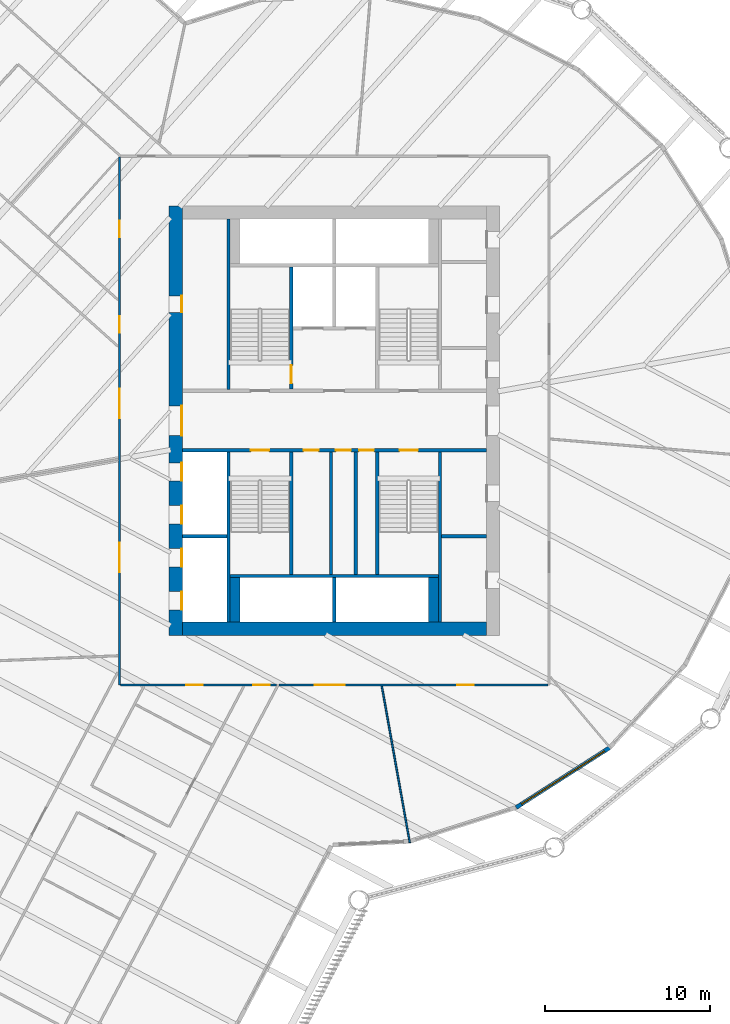
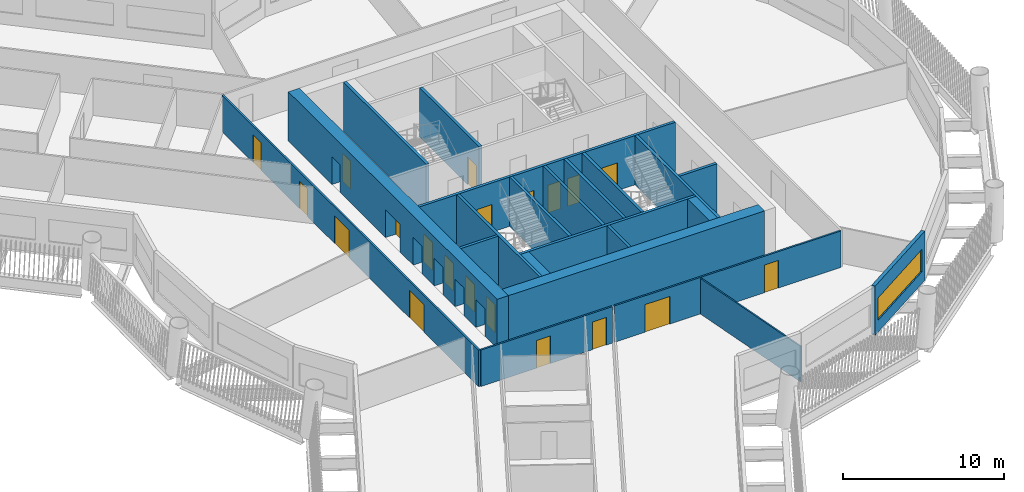
# One storey, part 4 of 16: 22 walls, 20 doors, 1 window, 21 openings.
"""IFC4 building model written with IfcOpenShell, lengths in metres."""

from ifc_helpers import new_model, si_unit, direction, frame, frame_2d, origin, place, context, subcontext, project, spatial, rectangle, extrude, material, layer, layer_set, type_object, element, fill, save


model = new_model("IFC4")

# Units and contexts
model_context = context("Model", 3, precision=1e-05, world=origin(), true_north=direction((0.0, 1.0)))
body_context = subcontext(model_context, "Body", "Model", "MODEL_VIEW")
ifc_project = project(units=[si_unit("LENGTHUNIT", "METRE"), si_unit("AREAUNIT", "SQUARE_METRE"), si_unit("VOLUMEUNIT", "CUBIC_METRE"), si_unit("PLANEANGLEUNIT", "RADIAN"), si_unit("MASSUNIT", "GRAM", prefix="KILO")], contexts=[model_context])

# Site, building, storey
site_placement = place(None, origin())
site = spatial("IfcSite", under=ifc_project, at=site_placement, CompositionType="ELEMENT")
building_placement = place(site_placement, origin())
building = spatial("IfcBuilding", under=site, at=building_placement, Name="Tarsis Ring Headquarters", CompositionType="ELEMENT")
storey_placement = place(building_placement, frame((0.0, 0.0, 96.699951171875)))
storey = spatial("IfcBuildingStorey", under=building, at=storey_placement, Name="L21", CompositionType="ELEMENT", Elevation=96.699951171875)

# Walls
ifc_material_1 = material(Name="Blockwork", Category="masonry")
ifc_layer_1 = layer(ifc_material_1, 0.199951171875)
ifc_layer_set_1 = layer_set([ifc_layer_1], Name="Core blockwork wall 200")
wall_type_1 = type_object("IfcWallType", Name="Core blockwork wall 200", PredefinedType="PARTITIONING", material=ifc_layer_set_1)
wall_1_placement = place(storey_placement, frame((6.5, -7.0, 0.0), z_axis=(0.0, 0.0, 1.0), x_axis=(1.0, 0.0, 0.0)))
element("IfcWall", 1, at=wall_1_placement, inside=storey, type_object=wall_type_1, Name="Core partition ED2", PredefinedType="PARTITIONING", context=body_context, shape_type="SweptSolid", body=[
    extrude(rectangle(XDim=2.699951171875, YDim=0.199951171875, at=frame_2d((1.35009765625, 0.0))), origin(), (0.0, 0.0, 1.0), 3.739990234375),
])
for number, where, z_axis, x_axis, name in (
    (2, (-0.199951171875, -9.300048828125, 0.0), (0.0, 0.0, 1.0), (0.0, 1.0, 0.0), "Core partition SV1"),
    (3, (1.300048828125, -9.300048828125, 0.0), (0.0, 0.0, 1.0), (0.0, 1.0, 0.0), "Core partition SV2"),
):
    element("IfcWall", number, at=place(storey_placement, frame(where, z_axis=z_axis, x_axis=x_axis)), inside=storey, type_object=wall_type_1, Name=name, PredefinedType="PARTITIONING", context=body_context, shape_type="SweptSolid", body=[
        extrude(rectangle(XDim=7.400146484375, YDim=0.199951171875, at=frame_2d((3.7001953125, 0.0))), origin(), (0.0, 0.0, 1.0), 3.739990234375),
    ])

# Wall, openings, doors
ifc_material_2 = material(Name="Concrete C60/75", Category="concrete")
ifc_layer_2 = layer(ifc_material_2, 0.800048828125)
ifc_layer_set_2 = layer_set([ifc_layer_2], Name="Core wall 800 C60/75")
wall_type_2 = type_object("IfcWallType", Name="Core wall 800 C60/75", PredefinedType="SHEAR", material=ifc_layer_set_2)
wall_2_placement = place(storey_placement, frame((-9.60009765625, -13.0, 0.0), z_axis=(0.0, 0.0, 1.0), x_axis=(0.0, 1.0, 0.0)))
wall_2 = element("IfcWall", 4, at=wall_2_placement, inside=storey, type_object=wall_type_2, Name="Core wall OW", PredefinedType="SHEAR", context=body_context, shape_type="SweptSolid", body=[
    extrude(rectangle(XDim=26.0, YDim=0.800048828125, at=frame_2d((13.0, 0.0))), origin(), (0.0, 0.0, 1.0), 3.739990234375),
])
opening_1_placement = place(wall_2_placement, frame((1.550048828125, 0.0, 0.0)))
opening_1 = element("IfcOpeningElement", 5, at=opening_1_placement, cuts=wall_2, Name="Opening LD-LR1", PredefinedType="OPENING", context=body_context, shape_type="SweptSolid", body=[
    extrude(rectangle(XDim=1.10009765625, YDim=2.10009765625, at=frame_2d((0.550048828125, 1.050048828125))), frame((0.0, 0.409912109375, 0.0), z_axis=(0.0, -1.0, 0.0), x_axis=(1.0, 0.0, 0.0)), (0.0, 0.0, 1.0), 0.820068359375),
])
opening_2_placement = place(wall_2_placement, frame((4.14990234375, 0.0, 0.0)))
opening_2 = element("IfcOpeningElement", 6, at=opening_2_placement, cuts=wall_2, Name="Opening LD-LR2", PredefinedType="OPENING", context=body_context, shape_type="SweptSolid", body=[
    extrude(rectangle(XDim=1.10009765625, YDim=2.10009765625, at=frame_2d((0.550048828125, 1.050048828125))), frame((0.0, 0.409912109375, 0.0), z_axis=(0.0, -1.0, 0.0), x_axis=(1.0, 0.0, 0.0)), (0.0, 0.0, 1.0), 0.820068359375),
])
opening_3_placement = place(wall_2_placement, frame((6.75, 0.0, 0.0)))
opening_3 = element("IfcOpeningElement", 7, at=opening_3_placement, cuts=wall_2, Name="Opening LD-LR3", PredefinedType="OPENING", context=body_context, shape_type="SweptSolid", body=[
    extrude(rectangle(XDim=1.10009765625, YDim=2.10009765625, at=frame_2d((0.550048828125, 1.050048828125))), frame((0.0, 0.409912109375, 0.0), z_axis=(0.0, -1.0, 0.0), x_axis=(1.0, 0.0, 0.0)), (0.0, 0.0, 1.0), 0.820068359375),
])
opening_4_placement = place(wall_2_placement, frame((9.35009765625, 0.0, 0.0)))
opening_4 = element("IfcOpeningElement", 8, at=opening_4_placement, cuts=wall_2, Name="Opening LD-LR4", PredefinedType="OPENING", context=body_context, shape_type="SweptSolid", body=[
    extrude(rectangle(XDim=1.10009765625, YDim=2.10009765625, at=frame_2d((0.550048828125, 1.050048828125))), frame((0.0, 0.409912109375, 0.0), z_axis=(0.0, -1.0, 0.0), x_axis=(1.0, 0.0, 0.0)), (0.0, 0.0, 1.0), 0.820068359375),
])
opening_5_placement = place(wall_2_placement, frame((12.10009765625, 0.0, 0.0)))
opening_5 = element("IfcOpeningElement", 9, at=opening_5_placement, cuts=wall_2, Name="Opening L21-C05", PredefinedType="OPENING", context=body_context, shape_type="SweptSolid", body=[
    extrude(rectangle(XDim=1.800048828125, YDim=2.10009765625, at=frame_2d((0.89990234375, 1.050048828125))), frame((0.0, 0.409912109375, 0.0), z_axis=(0.0, -1.0, 0.0), x_axis=(1.0, 0.0, 0.0)), (0.0, 0.0, 1.0), 0.820068359375),
])
opening_6_placement = place(wall_2_placement, frame((19.550048828125, 0.0, 0.0)))
opening_6 = element("IfcOpeningElement", 10, at=opening_6_placement, cuts=wall_2, Name="Opening L21-C06", PredefinedType="OPENING", context=body_context, shape_type="SweptSolid", body=[
    extrude(rectangle(XDim=1.0, YDim=2.10009765625, at=frame_2d((0.5, 1.050048828125))), frame((0.0, 0.409912109375, 0.0), z_axis=(0.0, -1.0, 0.0), x_axis=(1.0, 0.0, 0.0)), (0.0, 0.0, 1.0), 0.820068359375),
])
ifc_material_3 = material(Name="Steel S355", Category="steel")
door_type_1 = type_object("IfcDoorType", Name="Core entry door 1800x2100", OperationType="DOUBLE_DOOR_SINGLE_SWING", PredefinedType="DOOR", material=ifc_material_3)
door_1_placement = place(opening_5_placement, origin())
door_1 = element("IfcDoor", 11, at=door_1_placement, inside=storey, type_object=door_type_1, Name="Core entry door L21", OperationType="DOUBLE_DOOR_SINGLE_SWING", OverallHeight=2.10009765625, OverallWidth=1.800048828125, PredefinedType="DOOR", context=body_context, shape_type="SweptSolid", body=[
    extrude(rectangle(XDim=1.800048828125, YDim=2.10009765625, at=frame_2d((0.89990234375, 1.050048828125))), frame((0.0, -0.35009765625, 0.0), z_axis=(0.0, -1.0, 0.0), x_axis=(1.0, 0.0, 0.0)), (0.0, 0.0, 1.0), 0.050048828125),
])
fill(opening_5, door_1)
door_type_2 = type_object("IfcDoorType", Name="Core room door 1000x2100", OperationType="SINGLE_SWING_LEFT", PredefinedType="DOOR", material=ifc_material_3)
door_2_placement = place(opening_6_placement, origin())
door_2 = element("IfcDoor", 12, at=door_2_placement, inside=storey, type_object=door_type_2, Name="Core room door L21", OperationType="SINGLE_SWING_LEFT", OverallHeight=2.10009765625, OverallWidth=1.0, PredefinedType="DOOR", context=body_context, shape_type="SweptSolid", body=[
    extrude(rectangle(XDim=1.0, YDim=2.10009765625, at=frame_2d((0.5, 1.050048828125))), frame((0.0, -0.35009765625, 0.0), z_axis=(0.0, -1.0, 0.0), x_axis=(1.0, 0.0, 0.0)), (0.0, 0.0, 1.0), 0.050048828125),
])
fill(opening_6, door_2)
door_type_3 = type_object("IfcDoorType", Name="Landing door 1100x2100", OperationType="SLIDING_TO_LEFT", PredefinedType="DOOR", material=ifc_material_3)
door_3_placement = place(opening_1_placement, origin())
door_3 = element("IfcDoor", 13, at=door_3_placement, inside=storey, type_object=door_type_3, Name="Landing door LR1 L21", OperationType="SLIDING_TO_LEFT", OverallHeight=2.10009765625, OverallWidth=1.10009765625, PredefinedType="DOOR", context=body_context, shape_type="SweptSolid", body=[
    extrude(rectangle(XDim=1.10009765625, YDim=2.10009765625, at=frame_2d((0.550048828125, 1.050048828125))), frame((0.0, -0.35009765625, 0.0), z_axis=(0.0, -1.0, 0.0), x_axis=(1.0, 0.0, 0.0)), (0.0, 0.0, 1.0), 0.050048828125),
])
fill(opening_1, door_3)
door_4_placement = place(opening_2_placement, origin())
door_4 = element("IfcDoor", 14, at=door_4_placement, inside=storey, type_object=door_type_3, Name="Landing door LR2 L21", OperationType="SLIDING_TO_LEFT", OverallHeight=2.10009765625, OverallWidth=1.10009765625, PredefinedType="DOOR", context=body_context, shape_type="SweptSolid", body=[
    extrude(rectangle(XDim=1.10009765625, YDim=2.10009765625, at=frame_2d((0.550048828125, 1.050048828125))), frame((0.0, -0.35009765625, 0.0), z_axis=(0.0, -1.0, 0.0), x_axis=(1.0, 0.0, 0.0)), (0.0, 0.0, 1.0), 0.050048828125),
])
fill(opening_2, door_4)
door_5_placement = place(opening_3_placement, origin())
door_5 = element("IfcDoor", 15, at=door_5_placement, inside=storey, type_object=door_type_3, Name="Landing door LR3 L21", OperationType="SLIDING_TO_LEFT", OverallHeight=2.10009765625, OverallWidth=1.10009765625, PredefinedType="DOOR", context=body_context, shape_type="SweptSolid", body=[
    extrude(rectangle(XDim=1.10009765625, YDim=2.10009765625, at=frame_2d((0.550048828125, 1.050048828125))), frame((0.0, -0.35009765625, 0.0), z_axis=(0.0, -1.0, 0.0), x_axis=(1.0, 0.0, 0.0)), (0.0, 0.0, 1.0), 0.050048828125),
])
fill(opening_3, door_5)
door_6_placement = place(opening_4_placement, origin())
door_6 = element("IfcDoor", 16, at=door_6_placement, inside=storey, type_object=door_type_3, Name="Landing door LR4 L21", OperationType="SLIDING_TO_LEFT", OverallHeight=2.10009765625, OverallWidth=1.10009765625, PredefinedType="DOOR", context=body_context, shape_type="SweptSolid", body=[
    extrude(rectangle(XDim=1.10009765625, YDim=2.10009765625, at=frame_2d((0.550048828125, 1.050048828125))), frame((0.0, -0.35009765625, 0.0), z_axis=(0.0, -1.0, 0.0), x_axis=(1.0, 0.0, 0.0)), (0.0, 0.0, 1.0), 0.050048828125),
])
fill(opening_4, door_6)

# Walls
wall_3_placement = place(storey_placement, frame((-9.199951171875, -12.60009765625, 0.0), z_axis=(0.0, 0.0, 1.0), x_axis=(1.0, 0.0, 0.0)))
element("IfcWall", 17, at=wall_3_placement, inside=storey, type_object=wall_type_2, Name="Core wall OS", PredefinedType="SHEAR", context=body_context, shape_type="SweptSolid", body=[
    extrude(rectangle(XDim=18.39990234375, YDim=0.800048828125, at=frame_2d((9.199951171875, 0.0))), origin(), (0.0, 0.0, 1.0), 3.739990234375),
])
ifc_material_4 = material(Name="Gypsum board on steel studs", Category="steel")
ifc_layer_3 = layer(ifc_material_4, 0.10009765625)
ifc_layer_set_3 = layer_set([ifc_layer_3], Name="FL partition 100 unrated")
wall_type_3 = type_object("IfcWallType", Name="FL partition 100 unrated", PredefinedType="PARTITIONING", material=ifc_layer_set_3)
wall_4_placement = place(storey_placement, frame((2.873779296875, -16.06884765625, 0.0), z_axis=(0.0, 0.0, 1.0), x_axis=(0.176054033102, -0.984380504393, 0.0)))
element("IfcWall", 18, at=wall_4_placement, inside=storey, type_object=wall_type_3, Name="Partition PW3", PredefinedType="PARTITIONING", context=body_context, shape_type="SweptSolid", body=[
    extrude(rectangle(XDim=9.6240234375, YDim=0.10009765625, at=frame_2d((4.81201171875, 0.0))), origin(), (0.0, 0.0, 1.0), 2.699951171875),
])

# Wall, openings, doors
ifc_layer_4 = layer(ifc_material_4, 0.125)
ifc_layer_set_4 = layer_set([ifc_layer_4], Name="FL partition 125 EI 60 H2770")
wall_type_4 = type_object("IfcWallType", Name="FL partition 125 EI 60 H2770", PredefinedType="PARTITIONING", material=ifc_layer_set_4)
wall_5_placement = place(storey_placement, frame((-13.0, -16.0, 0.0), z_axis=(0.0, 0.0, 1.0), x_axis=(0.0, 1.0, 0.0)))
wall_5 = element("IfcWall", 19, at=wall_5_placement, inside=storey, type_object=wall_type_4, Name="Partition PW1", PredefinedType="PARTITIONING", context=body_context, shape_type="SweptSolid", body=[
    extrude(rectangle(XDim=31.946533203125, YDim=0.125, at=frame_2d((15.97314453125, 0.0))), origin(), (0.0, 0.0, 1.0), 2.77001953125),
])
opening_7_placement = place(wall_5_placement, frame((6.822998046875, 0.0, 0.0)))
opening_7 = element("IfcOpeningElement", 20, at=opening_7_placement, cuts=wall_5, Name="Opening D21.11", PredefinedType="OPENING", context=body_context, shape_type="SweptSolid", body=[
    extrude(rectangle(XDim=1.800048828125, YDim=2.10009765625, at=frame_2d((0.89990234375, 1.050048828125))), frame((0.0, 0.072509765625, 0.0), z_axis=(0.0, -1.0, 0.0), x_axis=(1.0, 0.0, 0.0)), (0.0, 0.0, 1.0), 0.14501953125),
])
opening_8_placement = place(wall_5_placement, frame((16.142822265625, 0.0, 0.0)))
opening_8 = element("IfcOpeningElement", 21, at=opening_8_placement, cuts=wall_5, Name="Opening D21.12", PredefinedType="OPENING", context=body_context, shape_type="SweptSolid", body=[
    extrude(rectangle(XDim=1.800048828125, YDim=2.10009765625, at=frame_2d((0.89990234375, 1.050048828125))), frame((0.0, 0.072509765625, 0.0), z_axis=(0.0, -1.0, 0.0), x_axis=(1.0, 0.0, 0.0)), (0.0, 0.0, 1.0), 0.14501953125),
])
opening_9_placement = place(wall_5_placement, frame((27.08837890625, 0.0, 0.0)))
opening_9 = element("IfcOpeningElement", 22, at=opening_9_placement, cuts=wall_5, Name="Opening D21.13", PredefinedType="OPENING", context=body_context, shape_type="SweptSolid", body=[
    extrude(rectangle(XDim=1.0, YDim=2.10009765625, at=frame_2d((0.5, 1.050048828125))), frame((0.0, 0.072509765625, 0.0), z_axis=(0.0, -1.0, 0.0), x_axis=(1.0, 0.0, 0.0)), (0.0, 0.0, 1.0), 0.14501953125),
])
opening_10_placement = place(wall_5_placement, frame((21.320556640625, 0.0, 0.0)))
opening_10 = element("IfcOpeningElement", 23, at=opening_10_placement, cuts=wall_5, Name="Opening D21.19", PredefinedType="OPENING", context=body_context, shape_type="SweptSolid", body=[
    extrude(rectangle(XDim=1.0, YDim=2.10009765625, at=frame_2d((0.5, 1.050048828125))), frame((0.0, 0.072509765625, 0.0), z_axis=(0.0, -1.0, 0.0), x_axis=(1.0, 0.0, 0.0)), (0.0, 0.0, 1.0), 0.14501953125),
])
ifc_material_5 = material(Name="Fire-rated timber door leaf in steel frame", Category="steel")
door_type_4 = type_object("IfcDoorType", Name="FL door FD60-1000", OperationType="NOTDEFINED", PredefinedType="DOOR", material=ifc_material_5)
door_7_placement = place(opening_9_placement, origin())
door_7 = element("IfcDoor", 24, at=door_7_placement, inside=storey, type_object=door_type_4, Name="Door D21.13", OperationType="SINGLE_SWING_RIGHT", OverallHeight=2.10009765625, OverallWidth=1.0, PredefinedType="DOOR", context=body_context, shape_type="SweptSolid", body=[
    extrude(rectangle(XDim=1.0, YDim=2.10009765625, at=frame_2d((0.5, 1.050048828125))), frame((0.0, 0.02490234375, 0.0), z_axis=(0.0, -1.0, 0.0), x_axis=(1.0, 0.0, 0.0)), (0.0, 0.0, 1.0), 0.050048828125),
])
fill(opening_9, door_7)
door_8_placement = place(opening_10_placement, origin())
door_8 = element("IfcDoor", 25, at=door_8_placement, inside=storey, type_object=door_type_4, Name="Door D21.19", OperationType="SINGLE_SWING_RIGHT", OverallHeight=2.10009765625, OverallWidth=1.0, PredefinedType="DOOR", context=body_context, shape_type="SweptSolid", body=[
    extrude(rectangle(XDim=1.0, YDim=2.10009765625, at=frame_2d((0.5, 1.050048828125))), frame((0.0, 0.02490234375, 0.0), z_axis=(0.0, -1.0, 0.0), x_axis=(1.0, 0.0, 0.0)), (0.0, 0.0, 1.0), 0.050048828125),
])
fill(opening_10, door_8)
door_type_5 = type_object("IfcDoorType", Name="FL door FD60-1800", OperationType="DOUBLE_DOOR_SINGLE_SWING", PredefinedType="DOOR", material=ifc_material_5)
door_9_placement = place(opening_7_placement, origin())
door_9 = element("IfcDoor", 26, at=door_9_placement, inside=storey, type_object=door_type_5, Name="Door D21.11", OperationType="DOUBLE_DOOR_SINGLE_SWING", OverallHeight=2.10009765625, OverallWidth=1.800048828125, PredefinedType="DOOR", context=body_context, shape_type="SweptSolid", body=[
    extrude(rectangle(XDim=1.800048828125, YDim=2.10009765625, at=frame_2d((0.89990234375, 1.050048828125))), frame((0.0, 0.02490234375, 0.0), z_axis=(0.0, -1.0, 0.0), x_axis=(1.0, 0.0, 0.0)), (0.0, 0.0, 1.0), 0.050048828125),
])
fill(opening_7, door_9)
door_10_placement = place(opening_8_placement, origin())
door_10 = element("IfcDoor", 27, at=door_10_placement, inside=storey, type_object=door_type_5, Name="Door D21.12", OperationType="DOUBLE_DOOR_SINGLE_SWING", OverallHeight=2.10009765625, OverallWidth=1.800048828125, PredefinedType="DOOR", context=body_context, shape_type="SweptSolid", body=[
    extrude(rectangle(XDim=1.800048828125, YDim=2.10009765625, at=frame_2d((0.89990234375, 1.050048828125))), frame((0.0, 0.02490234375, 0.0), z_axis=(0.0, -1.0, 0.0), x_axis=(1.0, 0.0, 0.0)), (0.0, 0.0, 1.0), 0.050048828125),
])
fill(opening_8, door_10)

wall_6_placement = place(storey_placement, frame((-12.93994140625, -16.0, 0.0), z_axis=(0.0, 0.0, 1.0), x_axis=(1.0, 0.0, 0.0)))
wall_6 = element("IfcWall", 28, at=wall_6_placement, inside=storey, type_object=wall_type_4, Name="Partition PW1", PredefinedType="PARTITIONING", context=body_context, shape_type="SweptSolid", body=[
    extrude(rectangle(XDim=9.43505859375, YDim=0.125, at=frame_2d((4.717529296875, 0.0))), origin(), (0.0, 0.0, 1.0), 2.77001953125),
])
opening_11_placement = place(wall_6_placement, frame((3.982666015625, 0.0, 0.0)))
opening_11 = element("IfcOpeningElement", 29, at=opening_11_placement, cuts=wall_6, Name="Opening D21.15", PredefinedType="OPENING", context=body_context, shape_type="SweptSolid", body=[
    extrude(rectangle(XDim=1.0, YDim=2.10009765625, at=frame_2d((0.5, 1.050048828125))), frame((0.0, 0.072509765625, 0.0), z_axis=(0.0, -1.0, 0.0), x_axis=(1.0, 0.0, 0.0)), (0.0, 0.0, 1.0), 0.14501953125),
])
opening_12_placement = place(wall_6_placement, frame((8.020751953125, 0.0, 0.0)))
opening_12 = element("IfcOpeningElement", 30, at=opening_12_placement, cuts=wall_6, Name="Opening D21.18", PredefinedType="OPENING", context=body_context, shape_type="SweptSolid", body=[
    extrude(rectangle(XDim=1.0, YDim=2.10009765625, at=frame_2d((0.5, 1.050048828125))), frame((0.0, 0.072509765625, 0.0), z_axis=(0.0, -1.0, 0.0), x_axis=(1.0, 0.0, 0.0)), (0.0, 0.0, 1.0), 0.14501953125),
])
door_11_placement = place(opening_11_placement, origin())
door_11 = element("IfcDoor", 31, at=door_11_placement, inside=storey, type_object=door_type_4, Name="Door D21.15", OperationType="SINGLE_SWING_RIGHT", OverallHeight=2.10009765625, OverallWidth=1.0, PredefinedType="DOOR", context=body_context, shape_type="SweptSolid", body=[
    extrude(rectangle(XDim=1.0, YDim=2.10009765625, at=frame_2d((0.5, 1.050048828125))), frame((0.0, 0.02490234375, 0.0), z_axis=(0.0, -1.0, 0.0), x_axis=(1.0, 0.0, 0.0)), (0.0, 0.0, 1.0), 0.050048828125),
])
fill(opening_11, door_11)
door_12_placement = place(opening_12_placement, origin())
door_12 = element("IfcDoor", 32, at=door_12_placement, inside=storey, type_object=door_type_4, Name="Door D21.18", OperationType="SINGLE_SWING_LEFT", OverallHeight=2.10009765625, OverallWidth=1.0, PredefinedType="DOOR", context=body_context, shape_type="SweptSolid", body=[
    extrude(rectangle(XDim=1.0, YDim=2.10009765625, at=frame_2d((0.5, 1.050048828125))), frame((0.0, 0.02490234375, 0.0), z_axis=(0.0, -1.0, 0.0), x_axis=(1.0, 0.0, 0.0)), (0.0, 0.0, 1.0), 0.050048828125),
])
fill(opening_12, door_12)

wall_7_placement = place(storey_placement, frame((-3.345947265625, -16.0, 0.0), z_axis=(0.0, 0.0, 1.0), x_axis=(1.0, 0.0, 0.0)))
wall_7 = element("IfcWall", 33, at=wall_7_placement, inside=storey, type_object=wall_type_4, Name="Partition PW1", PredefinedType="PARTITIONING", context=body_context, shape_type="SweptSolid", body=[
    extrude(rectangle(XDim=16.285888671875, YDim=0.125, at=frame_2d((8.14306640625, 0.0))), origin(), (0.0, 0.0, 1.0), 2.77001953125),
])
opening_13_placement = place(wall_7_placement, frame((10.77685546875, 0.0, 0.0)))
opening_13 = element("IfcOpeningElement", 34, at=opening_13_placement, cuts=wall_7, Name="Opening D21.07", PredefinedType="OPENING", context=body_context, shape_type="SweptSolid", body=[
    extrude(rectangle(XDim=1.0, YDim=2.10009765625, at=frame_2d((0.5, 1.050048828125))), frame((0.0, 0.072509765625, 0.0), z_axis=(0.0, -1.0, 0.0), x_axis=(1.0, 0.0, 0.0)), (0.0, 0.0, 1.0), 0.14501953125),
])
opening_14_placement = place(wall_7_placement, frame((2.176025390625, 0.0, 0.0)))
opening_14 = element("IfcOpeningElement", 35, at=opening_14_placement, cuts=wall_7, Name="Opening D21.08", PredefinedType="OPENING", context=body_context, shape_type="SweptSolid", body=[
    extrude(rectangle(XDim=1.800048828125, YDim=2.10009765625, at=frame_2d((0.89990234375, 1.050048828125))), frame((0.0, 0.072509765625, 0.0), z_axis=(0.0, -1.0, 0.0), x_axis=(1.0, 0.0, 0.0)), (0.0, 0.0, 1.0), 0.14501953125),
])
door_13_placement = place(opening_13_placement, origin())
door_13 = element("IfcDoor", 36, at=door_13_placement, inside=storey, type_object=door_type_4, Name="Door D21.07", OperationType="SINGLE_SWING_RIGHT", OverallHeight=2.10009765625, OverallWidth=1.0, PredefinedType="DOOR", context=body_context, shape_type="SweptSolid", body=[
    extrude(rectangle(XDim=1.0, YDim=2.10009765625, at=frame_2d((0.5, 1.050048828125))), frame((0.0, 0.02490234375, 0.0), z_axis=(0.0, -1.0, 0.0), x_axis=(1.0, 0.0, 0.0)), (0.0, 0.0, 1.0), 0.050048828125),
])
fill(opening_13, door_13)
door_14_placement = place(opening_14_placement, origin())
door_14 = element("IfcDoor", 37, at=door_14_placement, inside=storey, type_object=door_type_5, Name="Door D21.08", OperationType="DOUBLE_DOOR_SINGLE_SWING", OverallHeight=2.10009765625, OverallWidth=1.800048828125, PredefinedType="DOOR", context=body_context, shape_type="SweptSolid", body=[
    extrude(rectangle(XDim=1.800048828125, YDim=2.10009765625, at=frame_2d((0.89990234375, 1.050048828125))), frame((0.0, 0.02490234375, 0.0), z_axis=(0.0, -1.0, 0.0), x_axis=(1.0, 0.0, 0.0)), (0.0, 0.0, 1.0), 0.050048828125),
])
fill(opening_14, door_14)

# Wall, opening, window
ifc_material_6 = material(Name="Terracotta clad insulated panel wall", Category="masonry")
ifc_layer_5 = layer(ifc_material_6, 0.25)
ifc_layer_set_5 = layer_set([ifc_layer_5], Name="Facade wall terracotta panel 250")
wall_type_5 = type_object("IfcWallType", Name="Facade wall terracotta panel 250", PredefinedType="STANDARD", material=ifc_layer_set_5)
wall_8_placement = place(storey_placement, frame((11.005859375, -23.4140625, 0.0), z_axis=(0.0, 0.0, 1.0), x_axis=(0.842085989821, 0.539343291186, 0.0)))
wall_8 = element("IfcWall", 38, at=wall_8_placement, inside=storey, type_object=wall_type_5, Name="External wall L21-19", PredefinedType="STANDARD", context=body_context, shape_type="SweptSolid", body=[
    extrude(rectangle(XDim=6.7216796875, YDim=0.25, at=frame_2d((3.36083984375, 0.0))), origin(), (0.0, 0.0, 1.0), 3.739990234375),
])
opening_15_placement = place(wall_8_placement, frame((0.3857421875, 0.0, 0.89990234375)))
opening_15 = element("IfcOpeningElement", 39, at=opening_15_placement, cuts=wall_8, Name="Opening WN07", PredefinedType="OPENING", context=body_context, shape_type="SweptSolid", body=[
    extrude(rectangle(XDim=5.949951171875, YDim=1.699951171875, at=frame_2d((2.97509765625, 0.85009765625))), frame((0.0, 0.135009765625, 0.0), z_axis=(0.0, -1.0, 0.0), x_axis=(1.0, 0.0, 0.0)), (0.0, 0.0, 1.0), 0.27001953125),
])
ifc_material_7 = material(Name="Aluminium framed double glazing", Category="aluminium")
window_type = type_object("IfcWindowType", Name="Facade window 5950 x 1700", PartitioningType="SINGLE_PANEL", PredefinedType="WINDOW", material=ifc_material_7)
window_placement = place(opening_15_placement, origin())
window = element("IfcWindow", 40, at=window_placement, inside=storey, type_object=window_type, Name="Window L21-19.1", OverallHeight=1.699951171875, OverallWidth=5.949951171875, PartitioningType="SINGLE_PANEL", PredefinedType="WINDOW", context=body_context, shape_type="SweptSolid", body=[
    extrude(rectangle(XDim=5.949951171875, YDim=1.699951171875, at=frame_2d((2.97509765625, 0.85009765625))), frame((0.0, 0.030029296875, 0.0), z_axis=(0.0, -1.0, 0.0), x_axis=(1.0, 0.0, 0.0)), (0.0, 0.0, 1.0), 0.06005859375),
])
fill(opening_15, window)

# Walls
ifc_material_8 = material(Name="Concrete C32/40", Category="concrete")
ifc_layer_6 = layer(ifc_material_8, 0.60009765625)
ifc_layer_set_6 = layer_set([ifc_layer_6], Name="Shaft end wall 600 C32/40")
wall_type_6 = type_object("IfcWallType", Name="Shaft end wall 600 C32/40", PredefinedType="SOLIDWALL", material=ifc_layer_set_6)
for number, where, z_axis, x_axis, name in (
    (41, (-6.0, -12.199951171875, 0.0), (0.0, 0.0, 1.0), (0.0, 1.0, 0.0), "Core shaft wall SNE1"),
    (42, (6.0, -12.199951171875, 0.0), (0.0, 0.0, 1.0), (0.0, 1.0, 0.0), "Core shaft wall SNE2"),
):
    element("IfcWall", number, at=place(storey_placement, frame(where, z_axis=z_axis, x_axis=x_axis)), inside=storey, type_object=wall_type_6, Name=name, PredefinedType="SOLIDWALL", context=body_context, shape_type="SweptSolid", body=[
        extrude(rectangle(XDim=2.699951171875, YDim=0.60009765625, at=frame_2d((1.35009765625, 0.0))), origin(), (0.0, 0.0, 1.0), 3.739990234375),
    ])

# Wall, openings, doors
ifc_layer_7 = layer(ifc_material_8, 0.199951171875)
ifc_layer_set_7 = layer_set([ifc_layer_7], Name="Shaft wall 200 C32/40")
wall_type_7 = type_object("IfcWallType", Name="Shaft wall 200 C32/40", PredefinedType="SOLIDWALL", material=ifc_layer_set_7)
wall_9_placement = place(storey_placement, frame((-9.199951171875, -1.800048828125, 0.0), z_axis=(0.0, 0.0, 1.0), x_axis=(1.0, 0.0, 0.0)))
wall_9 = element("IfcWall", 43, at=wall_9_placement, inside=storey, type_object=wall_type_7, Name="Core shaft wall CS", PredefinedType="SOLIDWALL", context=body_context, shape_type="SweptSolid", body=[
    extrude(rectangle(XDim=18.39990234375, YDim=0.199951171875, at=frame_2d((9.199951171875, 0.0))), origin(), (0.0, 0.0, 1.0), 3.739990234375),
])
opening_16_placement = place(wall_9_placement, frame((4.14990234375, 0.0, 0.0)))
opening_16 = element("IfcOpeningElement", 44, at=opening_16_placement, cuts=wall_9, Name="Opening L21-C16", PredefinedType="OPENING", context=body_context, shape_type="SweptSolid", body=[
    extrude(rectangle(XDim=1.10009765625, YDim=2.10009765625, at=frame_2d((0.550048828125, 1.050048828125))), frame((0.0, 0.10986328125, 0.0), z_axis=(0.0, -1.0, 0.0), x_axis=(1.0, 0.0, 0.0)), (0.0, 0.0, 1.0), 0.219970703125),
])
opening_17_placement = place(wall_9_placement, frame((7.35009765625, 0.0, 0.0)))
opening_17 = element("IfcOpeningElement", 45, at=opening_17_placement, cuts=wall_9, Name="Opening L21-C17", PredefinedType="OPENING", context=body_context, shape_type="SweptSolid", body=[
    extrude(rectangle(XDim=0.89990234375, YDim=2.10009765625, at=frame_2d((0.449951171875, 1.050048828125))), frame((0.0, 0.10986328125, 0.0), z_axis=(0.0, -1.0, 0.0), x_axis=(1.0, 0.0, 0.0)), (0.0, 0.0, 1.0), 0.219970703125),
])
opening_18_placement = place(wall_9_placement, frame((9.300048828125, 0.0, 0.0)))
opening_18 = element("IfcOpeningElement", 46, at=opening_18_placement, cuts=wall_9, Name="Opening L21-C18", PredefinedType="OPENING", context=body_context, shape_type="SweptSolid", body=[
    extrude(rectangle(XDim=0.89990234375, YDim=2.10009765625, at=frame_2d((0.449951171875, 1.050048828125))), frame((0.0, 0.10986328125, 0.0), z_axis=(0.0, -1.0, 0.0), x_axis=(1.0, 0.0, 0.0)), (0.0, 0.0, 1.0), 0.219970703125),
])
opening_19_placement = place(wall_9_placement, frame((10.699951171875, 0.0, 0.0)))
opening_19 = element("IfcOpeningElement", 47, at=opening_19_placement, cuts=wall_9, Name="Opening L21-C19", PredefinedType="OPENING", context=body_context, shape_type="SweptSolid", body=[
    extrude(rectangle(XDim=0.89990234375, YDim=2.10009765625, at=frame_2d((0.449951171875, 1.050048828125))), frame((0.0, 0.10986328125, 0.0), z_axis=(0.0, -1.0, 0.0), x_axis=(1.0, 0.0, 0.0)), (0.0, 0.0, 1.0), 0.219970703125),
])
opening_20_placement = place(wall_9_placement, frame((13.14990234375, 0.0, 0.0)))
opening_20 = element("IfcOpeningElement", 48, at=opening_20_placement, cuts=wall_9, Name="Opening L21-C20", PredefinedType="OPENING", context=body_context, shape_type="SweptSolid", body=[
    extrude(rectangle(XDim=1.10009765625, YDim=2.10009765625, at=frame_2d((0.550048828125, 1.050048828125))), frame((0.0, 0.10986328125, 0.0), z_axis=(0.0, -1.0, 0.0), x_axis=(1.0, 0.0, 0.0)), (0.0, 0.0, 1.0), 0.219970703125),
])
door_type_6 = type_object("IfcDoorType", Name="Stair door 1100x2100", OperationType="SINGLE_SWING_LEFT", PredefinedType="DOOR", material=ifc_material_3)
door_15_placement = place(opening_16_placement, origin())
door_15 = element("IfcDoor", 49, at=door_15_placement, inside=storey, type_object=door_type_6, Name="Stair door L21", OperationType="SINGLE_SWING_LEFT", OverallHeight=2.10009765625, OverallWidth=1.10009765625, PredefinedType="DOOR", context=body_context, shape_type="SweptSolid", body=[
    extrude(rectangle(XDim=1.10009765625, YDim=2.10009765625, at=frame_2d((0.550048828125, 1.050048828125))), frame((0.0, 0.02490234375, 0.0), z_axis=(0.0, -1.0, 0.0), x_axis=(1.0, 0.0, 0.0)), (0.0, 0.0, 1.0), 0.050048828125),
])
fill(opening_16, door_15)
door_16_placement = place(opening_20_placement, origin())
door_16 = element("IfcDoor", 50, at=door_16_placement, inside=storey, type_object=door_type_6, Name="Stair door L21", OperationType="SINGLE_SWING_LEFT", OverallHeight=2.10009765625, OverallWidth=1.10009765625, PredefinedType="DOOR", context=body_context, shape_type="SweptSolid", body=[
    extrude(rectangle(XDim=1.10009765625, YDim=2.10009765625, at=frame_2d((0.550048828125, 1.050048828125))), frame((0.0, 0.02490234375, 0.0), z_axis=(0.0, -1.0, 0.0), x_axis=(1.0, 0.0, 0.0)), (0.0, 0.0, 1.0), 0.050048828125),
])
fill(opening_20, door_16)
door_type_7 = type_object("IfcDoorType", Name="WC door 900x2100", OperationType="SINGLE_SWING_LEFT", PredefinedType="DOOR", material=ifc_material_3)
door_17_placement = place(opening_17_placement, origin())
door_17 = element("IfcDoor", 51, at=door_17_placement, inside=storey, type_object=door_type_7, Name="WC door L21", OperationType="SINGLE_SWING_LEFT", OverallHeight=2.10009765625, OverallWidth=0.89990234375, PredefinedType="DOOR", context=body_context, shape_type="SweptSolid", body=[
    extrude(rectangle(XDim=0.89990234375, YDim=2.10009765625, at=frame_2d((0.449951171875, 1.050048828125))), frame((0.0, 0.02490234375, 0.0), z_axis=(0.0, -1.0, 0.0), x_axis=(1.0, 0.0, 0.0)), (0.0, 0.0, 1.0), 0.050048828125),
])
fill(opening_17, door_17)
door_18_placement = place(opening_18_placement, origin())
door_18 = element("IfcDoor", 52, at=door_18_placement, inside=storey, type_object=door_type_7, Name="WC door L21", OperationType="SINGLE_SWING_LEFT", OverallHeight=2.10009765625, OverallWidth=0.89990234375, PredefinedType="DOOR", context=body_context, shape_type="SweptSolid", body=[
    extrude(rectangle(XDim=0.89990234375, YDim=2.10009765625, at=frame_2d((0.449951171875, 1.050048828125))), frame((0.0, 0.02490234375, 0.0), z_axis=(0.0, -1.0, 0.0), x_axis=(1.0, 0.0, 0.0)), (0.0, 0.0, 1.0), 0.050048828125),
])
fill(opening_18, door_18)
door_19_placement = place(opening_19_placement, origin())
door_19 = element("IfcDoor", 53, at=door_19_placement, inside=storey, type_object=door_type_7, Name="WC door L21", OperationType="SINGLE_SWING_LEFT", OverallHeight=2.10009765625, OverallWidth=0.89990234375, PredefinedType="DOOR", context=body_context, shape_type="SweptSolid", body=[
    extrude(rectangle(XDim=0.89990234375, YDim=2.10009765625, at=frame_2d((0.449951171875, 1.050048828125))), frame((0.0, 0.02490234375, 0.0), z_axis=(0.0, -1.0, 0.0), x_axis=(1.0, 0.0, 0.0)), (0.0, 0.0, 1.0), 0.050048828125),
])
fill(opening_19, door_19)

# Walls
for number, where, z_axis, x_axis, name in (
    (54, (-6.39990234375, -12.199951171875, 0.0), (0.0, 0.0, 1.0), (0.0, 1.0, 0.0), "Core shaft wall WB1"),
    (55, (-6.39990234375, 1.89990234375, 0.0), (0.0, 0.0, 1.0), (0.0, 1.0, 0.0), "Core shaft wall WB2"),
    (56, (6.39990234375, -12.199951171875, 0.0), (0.0, 0.0, 1.0), (0.0, 1.0, 0.0), "Core shaft wall EB1"),
):
    element("IfcWall", number, at=place(storey_placement, frame(where, z_axis=z_axis, x_axis=x_axis)), inside=storey, type_object=wall_type_7, Name=name, PredefinedType="SOLIDWALL", context=body_context, shape_type="SweptSolid", body=[
        extrude(rectangle(XDim=10.300048828125, YDim=0.199951171875, at=frame_2d((5.14990234375, 0.0))), origin(), (0.0, 0.0, 1.0), 3.739990234375),
    ])
wall_10_placement = place(storey_placement, frame((-6.300048828125, -9.39990234375, 0.0), z_axis=(0.0, 0.0, 1.0), x_axis=(1.0, 0.0, 0.0)))
element("IfcWall", 57, at=wall_10_placement, inside=storey, type_object=wall_type_7, Name="Core shaft wall SB", PredefinedType="SOLIDWALL", context=body_context, shape_type="SweptSolid", body=[
    extrude(rectangle(XDim=12.60009765625, YDim=0.199951171875, at=frame_2d((6.300048828125, 0.0))), origin(), (0.0, 0.0, 1.0), 3.739990234375),
])

# Wall, opening, door
wall_11_placement = place(storey_placement, frame((-2.60009765625, 1.89990234375, 0.0), z_axis=(0.0, 0.0, 1.0), x_axis=(0.0, 1.0, 0.0)))
wall_11 = element("IfcWall", 58, at=wall_11_placement, inside=storey, type_object=wall_type_7, Name="Core shaft wall SW1", PredefinedType="SOLIDWALL", context=body_context, shape_type="SweptSolid", body=[
    extrude(rectangle(XDim=7.400146484375, YDim=0.199951171875, at=frame_2d((3.7001953125, 0.0))), origin(), (0.0, 0.0, 1.0), 3.739990234375),
])
opening_21_placement = place(wall_11_placement, frame((0.35009765625, 0.0, 0.0)))
opening_21 = element("IfcOpeningElement", 59, at=opening_21_placement, cuts=wall_11, Name="Opening L21-C21", PredefinedType="OPENING", context=body_context, shape_type="SweptSolid", body=[
    extrude(rectangle(XDim=1.10009765625, YDim=2.10009765625, at=frame_2d((0.550048828125, 1.050048828125))), frame((0.0, 0.10986328125, 0.0), z_axis=(0.0, -1.0, 0.0), x_axis=(1.0, 0.0, 0.0)), (0.0, 0.0, 1.0), 0.219970703125),
])
door_20_placement = place(opening_21_placement, origin())
door_20 = element("IfcDoor", 60, at=door_20_placement, inside=storey, type_object=door_type_6, Name="Stair door L21", OperationType="SINGLE_SWING_LEFT", OverallHeight=2.10009765625, OverallWidth=1.10009765625, PredefinedType="DOOR", context=body_context, shape_type="SweptSolid", body=[
    extrude(rectangle(XDim=1.10009765625, YDim=2.10009765625, at=frame_2d((0.550048828125, 1.050048828125))), frame((0.0, 0.02490234375, 0.0), z_axis=(0.0, -1.0, 0.0), x_axis=(1.0, 0.0, 0.0)), (0.0, 0.0, 1.0), 0.050048828125),
])
fill(opening_21, door_20)

# Walls
for number, where, z_axis, x_axis, name in (
    (61, (-2.60009765625, -9.300048828125, 0.0), (0.0, 0.0, 1.0), (0.0, 1.0, 0.0), "Core shaft wall SW3"),
    (62, (2.60009765625, -9.300048828125, 0.0), (0.0, 0.0, 1.0), (0.0, 1.0, 0.0), "Core shaft wall SW4"),
):
    element("IfcWall", number, at=place(storey_placement, frame(where, z_axis=z_axis, x_axis=x_axis)), inside=storey, type_object=wall_type_7, Name=name, PredefinedType="SOLIDWALL", context=body_context, shape_type="SweptSolid", body=[
        extrude(rectangle(XDim=7.400146484375, YDim=0.199951171875, at=frame_2d((3.7001953125, 0.0))), origin(), (0.0, 0.0, 1.0), 3.739990234375),
    ])
for number, where, z_axis, x_axis, name in (
    (63, (-9.199951171875, -7.0, 0.0), (0.0, 0.0, 1.0), (1.0, 0.0, 0.0), "Core shaft wall WD2"),
    (64, (0.0, -12.199951171875, 0.0), (0.0, 0.0, 1.0), (0.0, 1.0, 0.0), "Core shaft wall SD2"),
):
    element("IfcWall", number, at=place(storey_placement, frame(where, z_axis=z_axis, x_axis=x_axis)), inside=storey, type_object=wall_type_7, Name=name, PredefinedType="SOLIDWALL", context=body_context, shape_type="SweptSolid", body=[
        extrude(rectangle(XDim=2.699951171875, YDim=0.199951171875, at=frame_2d((1.35009765625, 0.0))), origin(), (0.0, 0.0, 1.0), 3.739990234375),
    ])

save(model, "model.ifc")
